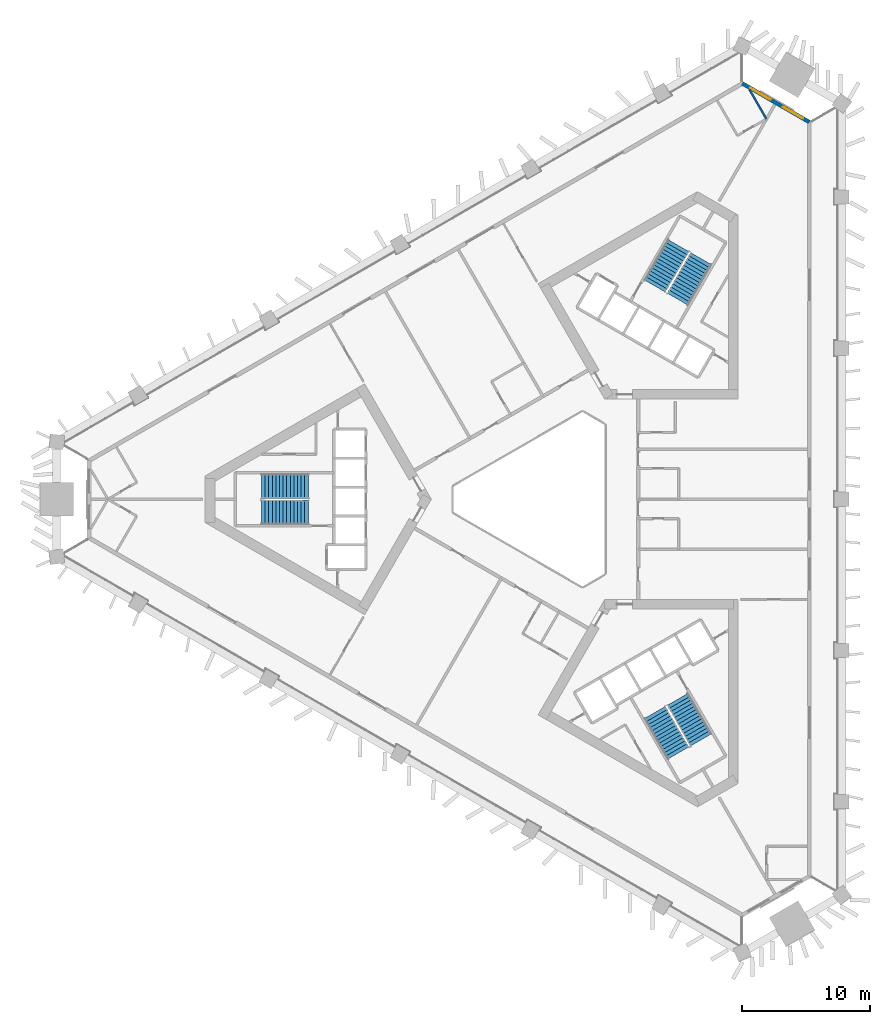
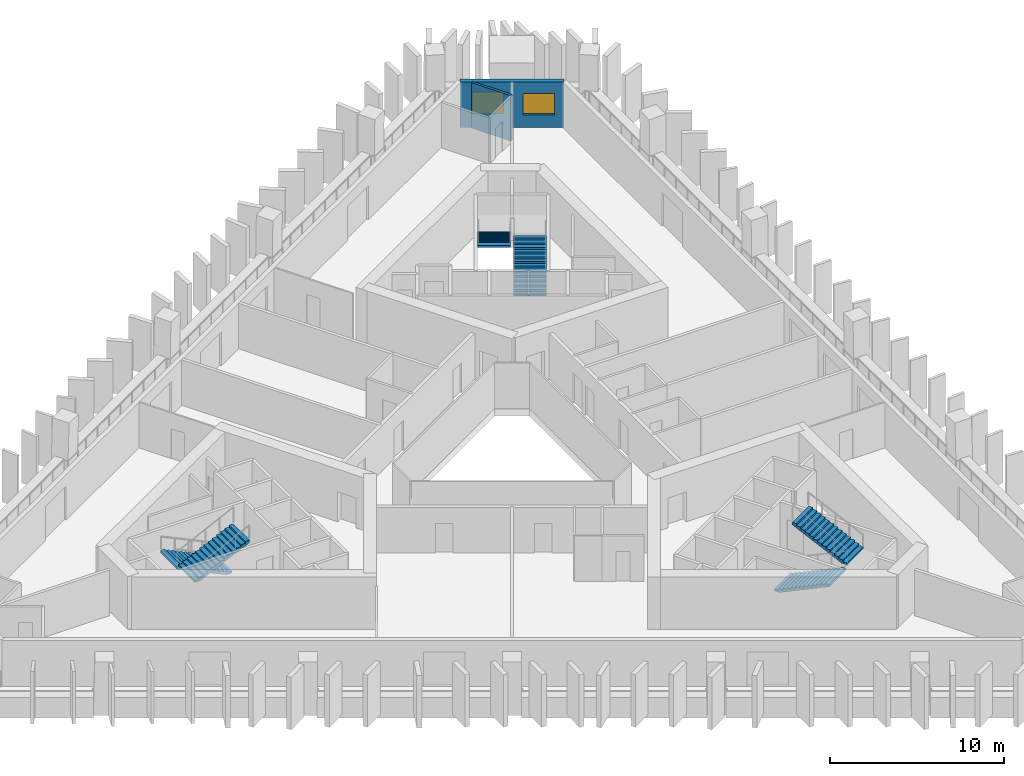
# One storey, part 7 of 11: 6 stair flights, 2 walls, 2 windows, 2 openings, 3 elements without a shape of their own.
"""IFC4 building model written with IfcOpenShell, lengths in metres."""

from ifc_helpers import new_model, si_unit, direction, frame, frame_2d, origin, place, context, subcontext, project, spatial, polyline, rectangle, outline, extrude, material, layer, layer_set, type_object, element, fill, aggregate, save


model = new_model("IFC4")

# Units and contexts
model_context = context("Model", 3, precision=1e-05, world=origin(), true_north=direction((0.0, 1.0)))
body_context = subcontext(model_context, "Body", "Model", "MODEL_VIEW")
ifc_project = project(units=[si_unit("LENGTHUNIT", "METRE"), si_unit("AREAUNIT", "SQUARE_METRE"), si_unit("VOLUMEUNIT", "CUBIC_METRE"), si_unit("PLANEANGLEUNIT", "RADIAN"), si_unit("MASSUNIT", "GRAM", prefix="KILO")], contexts=[model_context])

# Site, building, storey
site_placement = place(None, origin())
site = spatial("IfcSite", under=ifc_project, at=site_placement, CompositionType="ELEMENT")
building_placement = place(site_placement, origin())
building = spatial("IfcBuilding", under=site, at=building_placement, Name="Jabali Bay Hotel Tower and Convention Centre", CompositionType="ELEMENT")
storey_placement = place(building_placement, frame((0.0, 0.0, 83.199951171875)))
storey = spatial("IfcBuildingStorey", under=building, at=storey_placement, Name="L19", CompositionType="ELEMENT", Elevation=83.199951171875)

# Wall, openings, windows
ifc_material_1 = material(Name="Concrete C40", Category="concrete")
ifc_layer_1 = layer(ifc_material_1, 0.300048828125)
ifc_layer_set_1 = layer_set([ifc_layer_1], Name="Concrete C40")
wall_type_1 = type_object("IfcWallType", Name="External wall 300", PredefinedType="SOLIDWALL", material=ifc_layer_set_1)
wall_1_placement = place(storey_placement, frame((90.220947265625, 112.37353515625, 0.0), z_axis=(0.0, 0.0, 1.0), x_axis=(0.866027298819, -0.49999671769, 0.0)))
wall_1 = element("IfcWall", 1, at=wall_1_placement, inside=storey, type_object=wall_type_1, Name="External wall north-east chamfer L19", PredefinedType="SOLIDWALL", context=body_context, shape_type="SweptSolid", body=[
    extrude(rectangle(XDim=6.01025390625, YDim=0.300048828125, at=frame_2d((3.005126953125, 0.0))), origin(), (0.0, 0.0, 1.0), 3.199951171875),
])
opening_1_placement = place(wall_1_placement, frame((0.70458984375, 0.0, 0.89990234375)))
opening_1 = element("IfcOpeningElement", 2, at=opening_1_placement, cuts=wall_1, Name="Opening W1", PredefinedType="OPENING", context=body_context, shape_type="SweptSolid", body=[
    extrude(rectangle(XDim=1.800048828125, YDim=1.5, at=frame_2d((0.89990234375, 0.75))), frame((0.0, 0.16064453125, 0.0), z_axis=(0.0, -1.0, 0.0), x_axis=(1.0, 0.0, 0.0)), (0.0, 0.0, 1.0), 0.321044921875),
])
opening_2_placement = place(wall_1_placement, frame((3.650634765625, 0.0, 0.89990234375)))
opening_2 = element("IfcOpeningElement", 3, at=opening_2_placement, cuts=wall_1, Name="Opening W1", PredefinedType="OPENING", context=body_context, shape_type="SweptSolid", body=[
    extrude(rectangle(XDim=1.800048828125, YDim=1.5, at=frame_2d((0.89990234375, 0.75))), frame((0.0, 0.16064453125, 0.0), z_axis=(0.0, -1.0, 0.0), x_axis=(1.0, 0.0, 0.0)), (0.0, 0.0, 1.0), 0.321044921875),
])
ifc_material_2 = material(Name="Glass", Category="glass")
window_type = type_object("IfcWindowType", Name="Window 1800 x 1500", PartitioningType="SINGLE_PANEL", PredefinedType="WINDOW", material=ifc_material_2)
window_1_placement = place(opening_1_placement, origin())
window_1 = element("IfcWindow", 4, at=window_1_placement, inside=storey, type_object=window_type, Name="Window 1905", OverallHeight=1.5, OverallWidth=1.800048828125, PartitioningType="SINGLE_PANEL", PredefinedType="WINDOW", context=body_context, shape_type="SweptSolid", body=[
    extrude(rectangle(XDim=1.800048828125, YDim=1.5, at=frame_2d((0.89990234375, 0.75))), frame((0.0, 0.030029296875, 0.0), z_axis=(0.0, -1.0, 0.0), x_axis=(1.0, 0.0, 0.0)), (0.0, 0.0, 1.0), 0.06005859375),
])
fill(opening_1, window_1)
window_2_placement = place(opening_2_placement, origin())
window_2 = element("IfcWindow", 5, at=window_2_placement, inside=storey, type_object=window_type, Name="Window 1904", OverallHeight=1.5, OverallWidth=1.800048828125, PartitioningType="SINGLE_PANEL", PredefinedType="WINDOW", context=body_context, shape_type="SweptSolid", body=[
    extrude(rectangle(XDim=1.800048828125, YDim=1.5, at=frame_2d((0.89990234375, 0.75))), frame((0.0, 0.030029296875, 0.0), z_axis=(0.0, -1.0, 0.0), x_axis=(1.0, 0.0, 0.0)), (0.0, 0.0, 1.0), 0.06005859375),
])
fill(opening_2, window_2)

# Wall
ifc_material_3 = material(Name="Plasterboard on steel stud", Category="steel")
ifc_layer_2 = layer(ifc_material_3, 0.14990234375)
ifc_layer_set_2 = layer_set([ifc_layer_2], Name="Plasterboard on steel stud")
wall_type_2 = type_object("IfcWallType", Name="Partition 150 wet", PredefinedType="PARTITIONING", material=ifc_layer_set_2)
wall_2_placement = place(storey_placement, frame((90.7724609375, 111.883056640625, 0.0), z_axis=(0.0, 0.0, 1.0), x_axis=(0.500041944083, -0.866001186003, 0.0)))
element("IfcWall", 6, at=wall_2_placement, inside=storey, type_object=wall_type_2, Name="Partition P03 L19 020", PredefinedType="PARTITIONING", context=body_context, shape_type="SweptSolid", body=[
    extrude(rectangle(XDim=2.623779296875, YDim=0.14990234375, at=frame_2d((1.31201171875, 0.0))), origin(), (0.0, 0.0, 1.0), 3.199951171875),
])

# Stair, stair flights
stair_type = type_object("IfcStairType", Name="Exit stair 1900", PredefinedType="HALF_TURN_STAIR", material=ifc_material_1)
stair_1_placement = place(storey_placement, origin())
stair_1 = element("IfcStair", 7, at=stair_1_placement, inside=storey, type_object=stair_type, Name="L19 Exit Stair 1", PredefinedType="HALF_TURN_STAIR")
stair_flight_type = type_object("IfcStairFlightType", Name="Stair flight concrete 150", PredefinedType="STRAIGHT", material=ifc_material_1)
stair_flight_1_placement = place(storey_placement, frame((56.419921875, 81.02490234375, 0.0), z_axis=(0.0, 0.0, 1.0), x_axis=(-1.0, 0.0, 0.0)))
stair_flight_1 = element("IfcStairFlight", 8, at=stair_flight_1_placement, type_object=stair_flight_type, Name="ST1 flight 1", NumberOfRisers=14, NumberOfTreads=13, PredefinedType="STRAIGHT", RiserHeight=0.132142857, TreadLength=0.28, context=body_context, shape_type="SweptSolid", body=[
    extrude(outline(polyline([(0.0, 0.0), (0.0, 0.132080078125), (0.280029296875, 0.132080078125), (0.280029296875, 0.264404296875), (0.56005859375, 0.264404296875), (0.56005859375, 0.396484375), (0.840087890625, 0.396484375), (0.840087890625, 0.528564453125), (1.1201171875, 0.528564453125), (1.1201171875, 0.66064453125), (1.39990234375, 0.66064453125), (1.39990234375, 0.79296875), (1.679931640625, 0.79296875), (1.679931640625, 0.925048828125), (1.9599609375, 0.925048828125), (1.9599609375, 1.05712890625), (2.239990234375, 1.05712890625), (2.239990234375, 1.189208984375), (2.52001953125, 1.189208984375), (2.52001953125, 1.321533203125), (2.800048828125, 1.321533203125), (2.800048828125, 1.45361328125), (3.080078125, 1.45361328125), (3.080078125, 1.585693359375), (3.360107421875, 1.585693359375), (3.360107421875, 1.7177734375), (3.639892578125, 1.7177734375), (3.639892578125, 1.85009765625), (3.639892578125, 1.552001953125), (0.351318359375, 0.0), (0.0, 0.0)])), frame((0.0, 0.949951171875, 0.0), z_axis=(0.0, -1.0, 0.0), x_axis=(1.0, 0.0, 0.0)), (0.0, 0.0, 1.0), 1.89990234375),
])
stair_flight_2_placement = place(storey_placement, frame((52.780029296875, 78.97509765625, 1.85009765625), z_axis=(0.0, 0.0, 1.0), x_axis=(1.0, 0.0, 0.0)))
stair_flight_2 = element("IfcStairFlight", 9, at=stair_flight_2_placement, type_object=stair_flight_type, Name="ST1 flight 2", NumberOfRisers=14, NumberOfTreads=13, PredefinedType="STRAIGHT", RiserHeight=0.132142857, TreadLength=0.28, context=body_context, shape_type="SweptSolid", body=[
    extrude(outline(polyline([(0.0, 0.0), (0.0, 0.132080078125), (0.280029296875, 0.132080078125), (0.280029296875, 0.264404296875), (0.56005859375, 0.264404296875), (0.56005859375, 0.396484375), (0.840087890625, 0.396484375), (0.840087890625, 0.528564453125), (1.1201171875, 0.528564453125), (1.1201171875, 0.66064453125), (1.39990234375, 0.66064453125), (1.39990234375, 0.79296875), (1.679931640625, 0.79296875), (1.679931640625, 0.925048828125), (1.9599609375, 0.925048828125), (1.9599609375, 1.05712890625), (2.239990234375, 1.05712890625), (2.239990234375, 1.189208984375), (2.52001953125, 1.189208984375), (2.52001953125, 1.321533203125), (2.800048828125, 1.321533203125), (2.800048828125, 1.45361328125), (3.080078125, 1.45361328125), (3.080078125, 1.585693359375), (3.360107421875, 1.585693359375), (3.360107421875, 1.7177734375), (3.639892578125, 1.7177734375), (3.639892578125, 1.85009765625), (3.639892578125, 1.552001953125), (0.351318359375, 0.0), (0.0, 0.0)])), frame((0.0, 0.949951171875, 0.0), z_axis=(0.0, -1.0, 0.0), x_axis=(1.0, 0.0, 0.0)), (0.0, 0.0, 1.0), 1.89990234375),
])
aggregate(stair_1, [stair_flight_1, stair_flight_2])

stair_2_placement = place(storey_placement, origin())
stair_2 = element("IfcStair", 10, at=stair_2_placement, inside=storey, type_object=stair_type, Name="L19 Exit Stair 2", PredefinedType="HALF_TURN_STAIR")
stair_flight_3_placement = place(storey_placement, frame((85.177734375, 95.578369140625, 0.0), z_axis=(0.0, 0.0, 1.0), x_axis=(0.5, 0.866025403784, 0.0)))
stair_flight_3 = element("IfcStairFlight", 11, at=stair_flight_3_placement, type_object=stair_flight_type, Name="ST2 flight 1", NumberOfRisers=14, NumberOfTreads=13, PredefinedType="STRAIGHT", RiserHeight=0.132142857, TreadLength=0.28, context=body_context, shape_type="SweptSolid", body=[
    extrude(outline(polyline([(0.0, 0.0), (0.0, 0.132080078125), (0.280029296875, 0.132080078125), (0.280029296875, 0.264404296875), (0.56005859375, 0.264404296875), (0.56005859375, 0.396484375), (0.840087890625, 0.396484375), (0.840087890625, 0.528564453125), (1.1201171875, 0.528564453125), (1.1201171875, 0.66064453125), (1.39990234375, 0.66064453125), (1.39990234375, 0.79296875), (1.679931640625, 0.79296875), (1.679931640625, 0.925048828125), (1.9599609375, 0.925048828125), (1.9599609375, 1.05712890625), (2.239990234375, 1.05712890625), (2.239990234375, 1.189208984375), (2.52001953125, 1.189208984375), (2.52001953125, 1.321533203125), (2.800048828125, 1.321533203125), (2.800048828125, 1.45361328125), (3.080078125, 1.45361328125), (3.080078125, 1.585693359375), (3.360107421875, 1.585693359375), (3.360107421875, 1.7177734375), (3.639892578125, 1.7177734375), (3.639892578125, 1.85009765625), (3.639892578125, 1.552001953125), (0.351318359375, 0.0), (0.0, 0.0)])), frame((0.0, 0.949951171875, 0.0), z_axis=(0.0, -1.0, 0.0), x_axis=(1.0, 0.0, 0.0)), (0.0, 0.0, 1.0), 1.89990234375),
])
stair_flight_4_placement = place(storey_placement, frame((85.222412109375, 99.755615234375, 1.85009765625), z_axis=(0.0, 0.0, 1.0), x_axis=(-0.5, -0.866025403784, 0.0)))
stair_flight_4 = element("IfcStairFlight", 12, at=stair_flight_4_placement, type_object=stair_flight_type, Name="ST2 flight 2", NumberOfRisers=14, NumberOfTreads=13, PredefinedType="STRAIGHT", RiserHeight=0.132142857, TreadLength=0.28, context=body_context, shape_type="SweptSolid", body=[
    extrude(outline(polyline([(0.0, 0.0), (0.0, 0.132080078125), (0.280029296875, 0.132080078125), (0.280029296875, 0.264404296875), (0.56005859375, 0.264404296875), (0.56005859375, 0.396484375), (0.840087890625, 0.396484375), (0.840087890625, 0.528564453125), (1.1201171875, 0.528564453125), (1.1201171875, 0.66064453125), (1.39990234375, 0.66064453125), (1.39990234375, 0.79296875), (1.679931640625, 0.79296875), (1.679931640625, 0.925048828125), (1.9599609375, 0.925048828125), (1.9599609375, 1.05712890625), (2.239990234375, 1.05712890625), (2.239990234375, 1.189208984375), (2.52001953125, 1.189208984375), (2.52001953125, 1.321533203125), (2.800048828125, 1.321533203125), (2.800048828125, 1.45361328125), (3.080078125, 1.45361328125), (3.080078125, 1.585693359375), (3.360107421875, 1.585693359375), (3.360107421875, 1.7177734375), (3.639892578125, 1.7177734375), (3.639892578125, 1.85009765625), (3.639892578125, 1.552001953125), (0.351318359375, 0.0), (0.0, 0.0)])), frame((0.0, 0.949951171875, 0.0), z_axis=(0.0, -1.0, 0.0), x_axis=(1.0, 0.0, 0.0)), (0.0, 0.0, 1.0), 1.89990234375),
])
aggregate(stair_2, [stair_flight_3, stair_flight_4])

stair_3_placement = place(storey_placement, origin())
stair_3 = element("IfcStair", 13, at=stair_3_placement, inside=storey, type_object=stair_type, Name="L19 Exit Stair 3", PredefinedType="HALF_TURN_STAIR")
stair_flight_5_placement = place(storey_placement, frame((83.40234375, 63.396728515625, 0.0), z_axis=(0.0, 0.0, 1.0), x_axis=(0.5, -0.866025403784, 0.0)))
stair_flight_5 = element("IfcStairFlight", 14, at=stair_flight_5_placement, type_object=stair_flight_type, Name="ST3 flight 1", NumberOfRisers=14, NumberOfTreads=13, PredefinedType="STRAIGHT", RiserHeight=0.132142857, TreadLength=0.28, context=body_context, shape_type="SweptSolid", body=[
    extrude(outline(polyline([(0.0, 0.0), (0.0, 0.132080078125), (0.280029296875, 0.132080078125), (0.280029296875, 0.264404296875), (0.56005859375, 0.264404296875), (0.56005859375, 0.396484375), (0.840087890625, 0.396484375), (0.840087890625, 0.528564453125), (1.1201171875, 0.528564453125), (1.1201171875, 0.66064453125), (1.39990234375, 0.66064453125), (1.39990234375, 0.79296875), (1.679931640625, 0.79296875), (1.679931640625, 0.925048828125), (1.9599609375, 0.925048828125), (1.9599609375, 1.05712890625), (2.239990234375, 1.05712890625), (2.239990234375, 1.189208984375), (2.52001953125, 1.189208984375), (2.52001953125, 1.321533203125), (2.800048828125, 1.321533203125), (2.800048828125, 1.45361328125), (3.080078125, 1.45361328125), (3.080078125, 1.585693359375), (3.360107421875, 1.585693359375), (3.360107421875, 1.7177734375), (3.639892578125, 1.7177734375), (3.639892578125, 1.85009765625), (3.639892578125, 1.552001953125), (0.351318359375, 0.0), (0.0, 0.0)])), frame((0.0, 0.949951171875, 0.0), z_axis=(0.0, -1.0, 0.0), x_axis=(1.0, 0.0, 0.0)), (0.0, 0.0, 1.0), 1.89990234375),
])
stair_flight_6_placement = place(storey_placement, frame((86.99755859375, 61.26953125, 1.85009765625), z_axis=(0.0, 0.0, 1.0), x_axis=(-0.5, 0.866025403784, 0.0)))
stair_flight_6 = element("IfcStairFlight", 15, at=stair_flight_6_placement, type_object=stair_flight_type, Name="ST3 flight 2", NumberOfRisers=14, NumberOfTreads=13, PredefinedType="STRAIGHT", RiserHeight=0.132142857, TreadLength=0.28, context=body_context, shape_type="SweptSolid", body=[
    extrude(outline(polyline([(0.0, 0.0), (0.0, 0.132080078125), (0.280029296875, 0.132080078125), (0.280029296875, 0.264404296875), (0.56005859375, 0.264404296875), (0.56005859375, 0.396484375), (0.840087890625, 0.396484375), (0.840087890625, 0.528564453125), (1.1201171875, 0.528564453125), (1.1201171875, 0.66064453125), (1.39990234375, 0.66064453125), (1.39990234375, 0.79296875), (1.679931640625, 0.79296875), (1.679931640625, 0.925048828125), (1.9599609375, 0.925048828125), (1.9599609375, 1.05712890625), (2.239990234375, 1.05712890625), (2.239990234375, 1.189208984375), (2.52001953125, 1.189208984375), (2.52001953125, 1.321533203125), (2.800048828125, 1.321533203125), (2.800048828125, 1.45361328125), (3.080078125, 1.45361328125), (3.080078125, 1.585693359375), (3.360107421875, 1.585693359375), (3.360107421875, 1.7177734375), (3.639892578125, 1.7177734375), (3.639892578125, 1.85009765625), (3.639892578125, 1.552001953125), (0.351318359375, 0.0), (0.0, 0.0)])), frame((0.0, 0.949951171875, 0.0), z_axis=(0.0, -1.0, 0.0), x_axis=(1.0, 0.0, 0.0)), (0.0, 0.0, 1.0), 1.89990234375),
])
aggregate(stair_3, [stair_flight_5, stair_flight_6])

save(model, "model.ifc")
